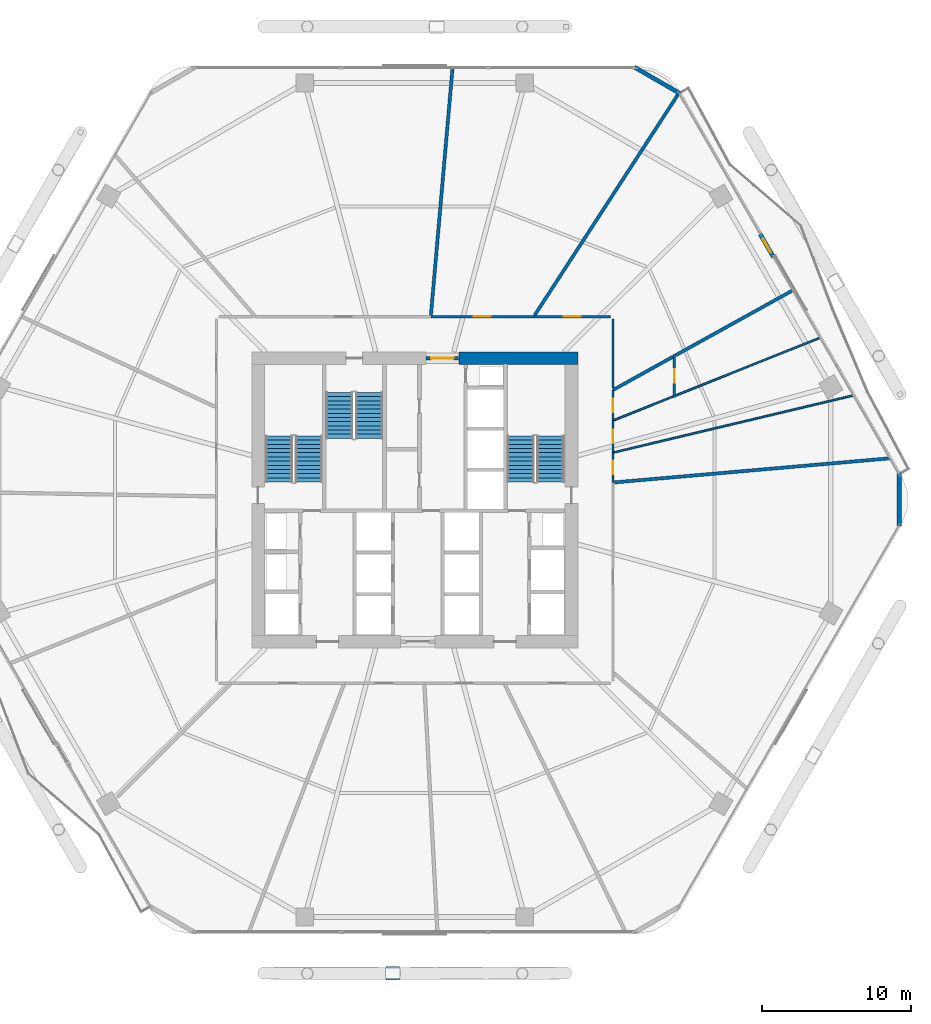
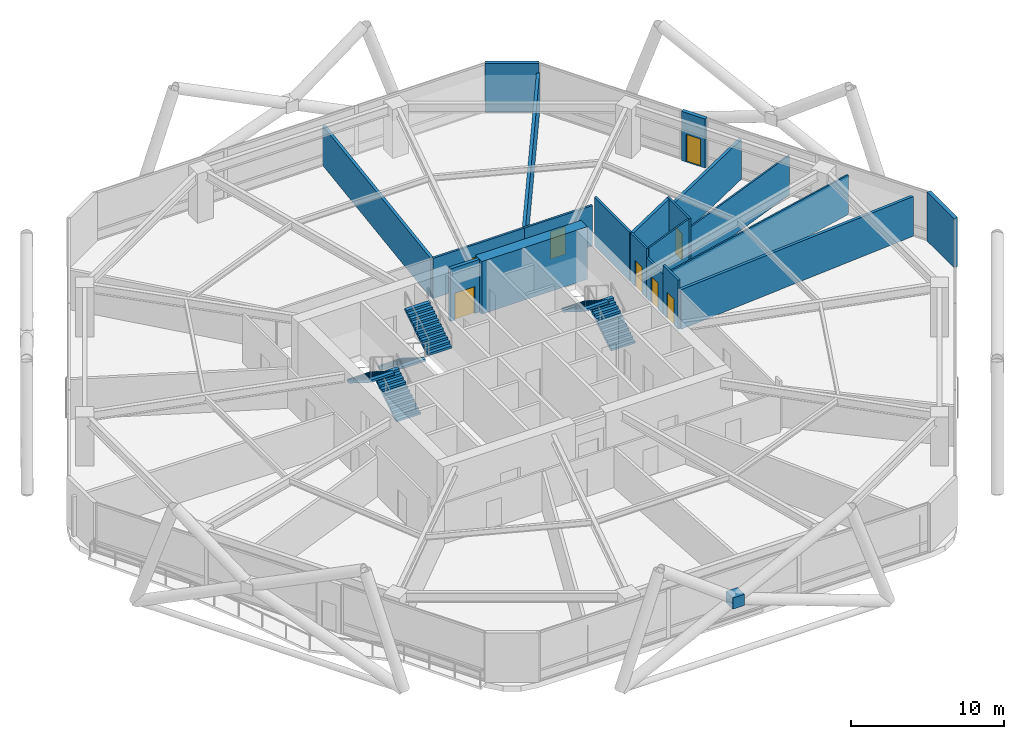
# One storey, part 27 of 31: 20 walls, 8 doors, 6 stair flights, 1 discrete accessory, 8 openings, 3 elements without a shape of their own.
"""IFC4 building model written with IfcOpenShell, lengths in metres."""

from ifc_helpers import new_model, si_unit, direction, frame, frame_2d, origin, origin_2d, place, context, subcontext, project, spatial, polyline, rectangle, outline, extrude, material, layer, layer_set, type_object, element, fill, aggregate, save


model = new_model("IFC4")

# Units and contexts
model_context = context("Model", 3, precision=1e-05, world=origin(), true_north=direction((0.0, 1.0)))
body_context = subcontext(model_context, "Body", "Model", "MODEL_VIEW")
ifc_project = project(units=[si_unit("LENGTHUNIT", "METRE"), si_unit("AREAUNIT", "SQUARE_METRE"), si_unit("VOLUMEUNIT", "CUBIC_METRE"), si_unit("PLANEANGLEUNIT", "RADIAN"), si_unit("MASSUNIT", "GRAM", prefix="KILO")], contexts=[model_context])

# Site, building, storey
site_placement = place(None, origin())
site = spatial("IfcSite", under=ifc_project, at=site_placement, CompositionType="ELEMENT")
building_placement = place(site_placement, origin())
building = spatial("IfcBuilding", under=site, at=building_placement, Name="Zuhravey Tower", CompositionType="ELEMENT")
storey_placement = place(building_placement, frame((0.0, 0.0, 7.800048828125)))
storey = spatial("IfcBuildingStorey", under=building, at=storey_placement, Name="L02", CompositionType="ELEMENT", Elevation=7.800048828125)

# Wall
ifc_material_1 = material(Name="Concrete C60/75", Category="concrete")
ifc_layer_1 = layer(ifc_material_1, 0.85009765625)
ifc_layer_set_1 = layer_set([ifc_layer_1], Name="Concrete C60/75")
wall_type_1 = type_object("IfcWallType", Name="Core Shear Wall 850", PredefinedType="SHEAR", material=ifc_layer_set_1)
wall_1_placement = place(storey_placement, frame((46.925048828125, 41.5, 0.0), z_axis=(0.0, 0.0, 1.0), x_axis=(-1.0, 0.0, 0.0)))
element("IfcWall", 1, at=wall_1_placement, inside=storey, type_object=wall_type_1, Name="L02 North-East Core Shear Wall CW85", PredefinedType="SHEAR", context=body_context, shape_type="SweptSolid", body=[
    extrude(rectangle(XDim=7.97509765625, YDim=0.85009765625, at=frame_2d((3.987548828125, 0.0))), origin(), (0.0, 0.0, 1.0), 4.199951171875),
])

# Wall, opening, door
ifc_material_2 = material(Name="Gypsum fire-rated stud partition")
ifc_layer_2 = layer(ifc_material_2, 0.159912109375)
ifc_layer_set_2 = layer_set([ifc_layer_2], Name="Gypsum fire-rated stud partition")
wall_type_2 = type_object("IfcWallType", Name="Corridor Fire Partition 160", PredefinedType="PARTITIONING", material=ifc_layer_set_2)
wall_2_placement = place(storey_placement, frame((49.284912109375, 33.162353515625, 0.0), z_axis=(0.0, 0.0, 1.0), x_axis=(0.0, 1.0, 0.0)))
wall_2 = element("IfcWall", 2, at=wall_2_placement, inside=storey, type_object=wall_type_2, Name="L02 IW16 Partition 019", PredefinedType="PARTITIONING", context=body_context, shape_type="SweptSolid", body=[
    extrude(rectangle(XDim=2.00244140625, YDim=0.159912109375, at=frame_2d((1.001220703125, 0.0))), origin(), (0.0, 0.0, 1.0), 3.919921875),
])
opening_1_placement = place(wall_2_placement, frame((0.55126953125, 0.0, 0.0)))
opening_1 = element("IfcOpeningElement", 3, at=opening_1_placement, cuts=wall_2, Name="Opening RSD1", PredefinedType="OPENING", context=body_context, shape_type="SweptSolid", body=[
    extrude(rectangle(XDim=0.89990234375, YDim=2.10009765625, at=frame_2d((0.449951171875, 1.050048828125))), frame((0.0, 0.092041015625, 0.0), z_axis=(0.0, -1.0, 0.0), x_axis=(1.0, 0.0, 0.0)), (0.0, 0.0, 1.0), 0.183837890625),
])
ifc_material_3 = material(Name="Galvanised fire-rated steel access leaf", Category="steel")
door_type_1 = type_object("IfcDoorType", Name="Riser & Shaft Access Fire Door 900x2100", OperationType="NOTDEFINED", PredefinedType="DOOR", material=ifc_material_3)
door_1_placement = place(opening_1_placement, frame((0.89990234375, 0.0, 0.0), z_axis=(0.0, 0.0, 1.0), x_axis=(-1.0, 0.0, 0.0)))
door_1 = element("IfcDoor", 4, at=door_1_placement, inside=storey, type_object=door_type_1, Name="L02 Door 019.1", OperationType="SINGLE_SWING_RIGHT", OverallHeight=2.10009765625, OverallWidth=0.89990234375, PredefinedType="DOOR", context=body_context, shape_type="SweptSolid", body=[
    extrude(rectangle(XDim=0.89990234375, YDim=2.10009765625, at=frame_2d((0.449951171875, 1.050048828125))), frame((0.0, 0.02490234375, 0.0), z_axis=(0.0, -1.0, 0.0), x_axis=(1.0, 0.0, 0.0)), (0.0, 0.0, 1.0), 0.050048828125),
])
fill(opening_1, door_1)

wall_3_placement = place(storey_placement, frame((49.284912109375, 35.164794921875, 0.0), z_axis=(0.0, 0.0, 1.0), x_axis=(0.0, 1.0, 0.0)))
wall_3 = element("IfcWall", 5, at=wall_3_placement, inside=storey, type_object=wall_type_2, Name="L02 IW16 Partition 020", PredefinedType="PARTITIONING", context=body_context, shape_type="SweptSolid", body=[
    extrude(rectangle(XDim=2.14892578125, YDim=0.159912109375, at=frame_2d((1.074462890625, 0.0))), origin(), (0.0, 0.0, 1.0), 3.219970703125),
])
opening_2_placement = place(wall_3_placement, frame((0.624267578125, 0.0, 0.0)))
opening_2 = element("IfcOpeningElement", 6, at=opening_2_placement, cuts=wall_3, Name="Opening RSD1", PredefinedType="OPENING", context=body_context, shape_type="SweptSolid", body=[
    extrude(rectangle(XDim=0.89990234375, YDim=2.10009765625, at=frame_2d((0.449951171875, 1.050048828125))), frame((0.0, 0.092041015625, 0.0), z_axis=(0.0, -1.0, 0.0), x_axis=(1.0, 0.0, 0.0)), (0.0, 0.0, 1.0), 0.183837890625),
])
door_2_placement = place(opening_2_placement, frame((0.89990234375, 0.0, 0.0), z_axis=(0.0, 0.0, 1.0), x_axis=(-1.0, 0.0, 0.0)))
door_2 = element("IfcDoor", 7, at=door_2_placement, inside=storey, type_object=door_type_1, Name="L02 Door 020.1", OperationType="SINGLE_SWING_LEFT", OverallHeight=2.10009765625, OverallWidth=0.89990234375, PredefinedType="DOOR", context=body_context, shape_type="SweptSolid", body=[
    extrude(rectangle(XDim=0.89990234375, YDim=2.10009765625, at=frame_2d((0.449951171875, 1.050048828125))), frame((0.0, 0.02490234375, 0.0), z_axis=(0.0, -1.0, 0.0), x_axis=(1.0, 0.0, 0.0)), (0.0, 0.0, 1.0), 0.050048828125),
])
fill(opening_2, door_2)

wall_4_placement = place(storey_placement, frame((53.405029296875, 41.7392578125, 0.0), z_axis=(0.0, 0.0, 1.0), x_axis=(0.0, -1.0, 0.0)))
wall_4 = element("IfcWall", 8, at=wall_4_placement, inside=storey, type_object=wall_type_2, Name="L02 IW16 Partition 021", PredefinedType="PARTITIONING", context=body_context, shape_type="SweptSolid", body=[
    extrude(rectangle(XDim=2.864013671875, YDim=0.159912109375, at=frame_2d((1.43212890625, 0.0))), origin(), (0.0, 0.0, 1.0), 3.919921875),
])
opening_3_placement = place(wall_4_placement, frame((0.98193359375, 0.0, 0.0)))
opening_3 = element("IfcOpeningElement", 9, at=opening_3_placement, cuts=wall_4, Name="Opening RSD1", PredefinedType="OPENING", context=body_context, shape_type="SweptSolid", body=[
    extrude(rectangle(XDim=0.89990234375, YDim=2.10009765625, at=frame_2d((0.449951171875, 1.050048828125))), frame((0.0, 0.092041015625, 0.0), z_axis=(0.0, -1.0, 0.0), x_axis=(1.0, 0.0, 0.0)), (0.0, 0.0, 1.0), 0.183837890625),
])
door_3_placement = place(opening_3_placement, origin())
door_3 = element("IfcDoor", 10, at=door_3_placement, inside=storey, type_object=door_type_1, Name="L02 Door 021.1", OperationType="SINGLE_SWING_RIGHT", OverallHeight=2.10009765625, OverallWidth=0.89990234375, PredefinedType="DOOR", context=body_context, shape_type="SweptSolid", body=[
    extrude(rectangle(XDim=0.89990234375, YDim=2.10009765625, at=frame_2d((0.449951171875, 1.050048828125))), frame((0.0, 0.02490234375, 0.0), z_axis=(0.0, -1.0, 0.0), x_axis=(1.0, 0.0, 0.0)), (0.0, 0.0, 1.0), 0.050048828125),
])
fill(opening_3, door_3)

wall_5_placement = place(storey_placement, frame((49.284912109375, 37.313720703125, 0.0), z_axis=(0.0, 0.0, 1.0), x_axis=(0.0, 1.0, 0.0)))
wall_5 = element("IfcWall", 11, at=wall_5_placement, inside=storey, type_object=wall_type_2, Name="L02 IW16 Partition 022", PredefinedType="PARTITIONING", context=body_context, shape_type="SweptSolid", body=[
    extrude(rectangle(XDim=2.05029296875, YDim=0.159912109375, at=frame_2d((1.025146484375, 0.0))), origin(), (0.0, 0.0, 1.0), 3.919921875),
])
opening_4_placement = place(wall_5_placement, frame((0.5751953125, 0.0, 0.0)))
opening_4 = element("IfcOpeningElement", 12, at=opening_4_placement, cuts=wall_5, Name="Opening RSD1", PredefinedType="OPENING", context=body_context, shape_type="SweptSolid", body=[
    extrude(rectangle(XDim=0.89990234375, YDim=2.10009765625, at=frame_2d((0.449951171875, 1.050048828125))), frame((0.0, 0.092041015625, 0.0), z_axis=(0.0, -1.0, 0.0), x_axis=(1.0, 0.0, 0.0)), (0.0, 0.0, 1.0), 0.183837890625),
])
door_4_placement = place(opening_4_placement, frame((0.89990234375, 0.0, 0.0), z_axis=(0.0, 0.0, 1.0), x_axis=(-1.0, 0.0, 0.0)))
door_4 = element("IfcDoor", 13, at=door_4_placement, inside=storey, type_object=door_type_1, Name="L02 Door 022.1", OperationType="SINGLE_SWING_LEFT", OverallHeight=2.10009765625, OverallWidth=0.89990234375, PredefinedType="DOOR", context=body_context, shape_type="SweptSolid", body=[
    extrude(rectangle(XDim=0.89990234375, YDim=2.10009765625, at=frame_2d((0.449951171875, 1.050048828125))), frame((0.0, 0.02490234375, 0.0), z_axis=(0.0, -1.0, 0.0), x_axis=(1.0, 0.0, 0.0)), (0.0, 0.0, 1.0), 0.050048828125),
])
fill(opening_4, door_4)

wall_6_placement = place(storey_placement, frame((49.125, 44.284912109375, 0.0), z_axis=(0.0, 0.0, 1.0), x_axis=(-1.0, 0.0, 0.0)))
wall_6 = element("IfcWall", 14, at=wall_6_placement, inside=storey, type_object=wall_type_2, Name="L02 IW16 Partition 023", PredefinedType="PARTITIONING", context=body_context, shape_type="SweptSolid", body=[
    extrude(rectangle(XDim=5.14697265625, YDim=0.159912109375, at=frame_2d((2.573486328125, 0.0))), origin(), (0.0, 0.0, 1.0), 3.219970703125),
])
opening_5_placement = place(wall_6_placement, frame((1.99853515625, 0.0, 0.0)))
opening_5 = element("IfcOpeningElement", 15, at=opening_5_placement, cuts=wall_6, Name="Opening CLD1", PredefinedType="OPENING", context=body_context, shape_type="SweptSolid", body=[
    extrude(rectangle(XDim=1.14990234375, YDim=2.199951171875, at=frame_2d((0.574951171875, 1.10009765625))), frame((0.0, 0.092041015625, 0.0), z_axis=(0.0, -1.0, 0.0), x_axis=(1.0, 0.0, 0.0)), (0.0, 0.0, 1.0), 0.183837890625),
])
ifc_material_4 = material(Name="Acoustic timber leaf with vision lite", Category="wood")
door_type_2 = type_object("IfcDoorType", Name="Classroom Acoustic Door 1150x2200", OperationType="NOTDEFINED", PredefinedType="DOOR", material=ifc_material_4)
door_5_placement = place(opening_5_placement, frame((1.14990234375, 0.0, 0.0), z_axis=(0.0, 0.0, 1.0), x_axis=(-1.0, 0.0, 0.0)))
door_5 = element("IfcDoor", 16, at=door_5_placement, inside=storey, type_object=door_type_2, Name="L02 Door 023.1", OperationType="SINGLE_SWING_RIGHT", OverallHeight=2.199951171875, OverallWidth=1.14990234375, PredefinedType="DOOR", context=body_context, shape_type="SweptSolid", body=[
    extrude(rectangle(XDim=1.14990234375, YDim=2.199951171875, at=frame_2d((0.574951171875, 1.10009765625))), frame((0.0, 0.02490234375, 0.0), z_axis=(0.0, -1.0, 0.0), x_axis=(1.0, 0.0, 0.0)), (0.0, 0.0, 1.0), 0.050048828125),
])
fill(opening_5, door_5)

wall_7_placement = place(storey_placement, frame((43.97802734375, 44.284912109375, 0.0), z_axis=(0.0, 0.0, 1.0), x_axis=(-1.0, 0.0, 0.0)))
wall_7 = element("IfcWall", 17, at=wall_7_placement, inside=storey, type_object=wall_type_2, Name="L02 IW16 Partition 024", PredefinedType="PARTITIONING", context=body_context, shape_type="SweptSolid", body=[
    extrude(rectangle(XDim=6.9033203125, YDim=0.159912109375, at=frame_2d((3.45166015625, 0.0))), origin(), (0.0, 0.0, 1.0), 3.219970703125),
])
opening_6_placement = place(wall_7_placement, frame((2.876708984375, 0.0, 0.0)))
opening_6 = element("IfcOpeningElement", 18, at=opening_6_placement, cuts=wall_7, Name="Opening CLD1", PredefinedType="OPENING", context=body_context, shape_type="SweptSolid", body=[
    extrude(rectangle(XDim=1.14990234375, YDim=2.199951171875, at=frame_2d((0.574951171875, 1.10009765625))), frame((0.0, 0.092041015625, 0.0), z_axis=(0.0, -1.0, 0.0), x_axis=(1.0, 0.0, 0.0)), (0.0, 0.0, 1.0), 0.183837890625),
])
door_6_placement = place(opening_6_placement, frame((1.14990234375, 0.0, 0.0), z_axis=(0.0, 0.0, 1.0), x_axis=(-1.0, 0.0, 0.0)))
door_6 = element("IfcDoor", 19, at=door_6_placement, inside=storey, type_object=door_type_2, Name="L02 Door 024.1", OperationType="SINGLE_SWING_LEFT", OverallHeight=2.199951171875, OverallWidth=1.14990234375, PredefinedType="DOOR", context=body_context, shape_type="SweptSolid", body=[
    extrude(rectangle(XDim=1.14990234375, YDim=2.199951171875, at=frame_2d((0.574951171875, 1.10009765625))), frame((0.0, 0.02490234375, 0.0), z_axis=(0.0, -1.0, 0.0), x_axis=(1.0, 0.0, 0.0)), (0.0, 0.0, 1.0), 0.050048828125),
])
fill(opening_6, door_6)

# Walls
wall_8_placement = place(storey_placement, frame((49.284912109375, 39.498779296875, 0.0), z_axis=(0.0, 0.0, 1.0), x_axis=(0.0, 1.0, 0.0)))
element("IfcWall", 20, at=wall_8_placement, inside=storey, type_object=wall_type_2, Name="L02 IW16 Partition 050", PredefinedType="PARTITIONING", context=body_context, shape_type="SweptSolid", body=[
    extrude(rectangle(XDim=4.626220703125, YDim=0.159912109375, at=frame_2d((2.31298828125, 0.0))), origin(), (0.0, 0.0, 1.0), 3.919921875),
])
ifc_material_5 = material(Name="Precast concrete C40/50", Category="concrete")
ifc_layer_3 = layer(ifc_material_5, 0.280029296875)
ifc_layer_set_3 = layer_set([ifc_layer_3], Name="Precast concrete C40/50")
wall_type_3 = type_object("IfcWallType", Name="Crown Architectural Wall 280", PredefinedType="SOLIDWALL", material=ifc_layer_set_3)
wall_9_placement = place(storey_placement, frame((50.71728515625, 61.006103515625, 0.0), z_axis=(0.0, 0.0, 1.0), x_axis=(0.866007452331, -0.500031091541, 0.0)))
element("IfcWall", 21, at=wall_9_placement, inside=storey, type_object=wall_type_3, Name="L02 Rounded Corner Closure Wall EW28-10", PredefinedType="SOLIDWALL", context=body_context, shape_type="SweptSolid", body=[
    extrude(rectangle(XDim=3.514892578125, YDim=0.280029296875, at=frame_2d((1.75732421875, 0.0))), origin(), (0.0, 0.0, 1.0), 3.919921875),
])

# Wall, opening, door
wall_10_placement = place(storey_placement, frame((59.1484375, 49.82275390625, 0.0), z_axis=(0.0, 0.0, 1.0), x_axis=(0.499982180423, -0.866035691677, 0.0)))
wall_10 = element("IfcWall", 22, at=wall_10_placement, inside=storey, type_object=wall_type_3, Name="L02 Face 1 Facade Pier EW28-1", PredefinedType="SOLIDWALL", context=body_context, shape_type="SweptSolid", body=[
    extrude(rectangle(XDim=1.7900390625, YDim=0.280029296875, at=frame_2d((0.89501953125, 0.0))), origin(), (0.0, 0.0, 1.0), 3.919921875),
])
opening_7_placement = place(wall_10_placement, frame((0.344970703125, 0.0, 0.0)))
opening_7 = element("IfcOpeningElement", 23, at=opening_7_placement, cuts=wall_10, Name="Opening BLD1", PredefinedType="OPENING", context=body_context, shape_type="SweptSolid", body=[
    extrude(rectangle(XDim=1.10009765625, YDim=2.199951171875, at=frame_2d((0.550048828125, 1.10009765625))), frame((0.0, 0.152099609375, 0.0), z_axis=(0.0, -1.0, 0.0), x_axis=(1.0, 0.0, 0.0)), (0.0, 0.0, 1.0), 0.303955078125),
])
ifc_material_6 = material(Name="Thermally broken aluminium and low-E glass", Category="aluminium")
door_type_3 = type_object("IfcDoorType", Name="Balcony & Sky-Tray Glazed Door 1100x2200", OperationType="NOTDEFINED", PredefinedType="DOOR", material=ifc_material_6)
door_7_placement = place(opening_7_placement, frame((1.10009765625, 0.0, 0.0), z_axis=(0.0, 0.0, 1.0), x_axis=(-1.0, 0.0, 0.0)))
door_7 = element("IfcDoor", 24, at=door_7_placement, inside=storey, type_object=door_type_3, Name="L02 Face 1 School Wave Terrace Door", OperationType="SINGLE_SWING_LEFT", OverallHeight=2.199951171875, OverallWidth=1.10009765625, PredefinedType="DOOR", context=body_context, shape_type="SweptSolid", body=[
    extrude(rectangle(XDim=1.10009765625, YDim=2.199951171875, at=frame_2d((0.550048828125, 1.10009765625))), frame((0.0, 0.02490234375, 0.0), z_axis=(0.0, -1.0, 0.0), x_axis=(1.0, 0.0, 0.0)), (0.0, 0.0, 1.0), 0.050048828125),
])
fill(opening_7, door_7)

# Wall
wall_11_placement = place(storey_placement, frame((68.478515625, 33.757568359375, 0.0), z_axis=(0.0, 0.0, 1.0), x_axis=(0.0, -1.0, 0.0)))
element("IfcWall", 25, at=wall_11_placement, inside=storey, type_object=wall_type_3, Name="L02 Rounded Corner Closure Wall EW28-12", PredefinedType="SOLIDWALL", context=body_context, shape_type="SweptSolid", body=[
    extrude(rectangle(XDim=3.51513671875, YDim=0.280029296875, at=frame_2d((1.757568359375, 0.0))), origin(), (0.0, 0.0, 1.0), 3.919921875),
])

# Wall, opening, door
ifc_material_7 = material(Name="Concrete C50/60", Category="concrete")
ifc_layer_4 = layer(ifc_material_7, 0.25)
ifc_layer_set_4 = layer_set([ifc_layer_4], Name="Concrete C50/60")
wall_type_4 = type_object("IfcWallType", Name="Firefighting Shaft & Stair Wall 250", PredefinedType="SOLIDWALL", material=ifc_layer_set_4)
wall_12_placement = place(storey_placement, frame((36.760009765625, 41.5, 0.0), z_axis=(0.0, 0.0, 1.0), x_axis=(1.0, 0.0, 0.0)))
wall_12 = element("IfcWall", 26, at=wall_12_placement, inside=storey, type_object=wall_type_4, Name="L02 FW25 Shaft Wall 002", PredefinedType="SOLIDWALL", context=body_context, shape_type="SweptSolid", body=[
    extrude(rectangle(XDim=2.179931640625, YDim=0.25, at=frame_2d((1.08984375, 0.0))), origin(), (0.0, 0.0, 1.0), 4.199951171875),
])
opening_8_placement = place(wall_12_placement, frame((0.340087890625, 0.0, 0.0)))
opening_8 = element("IfcOpeningElement", 27, at=opening_8_placement, cuts=wall_12, Name="Opening FFD1", PredefinedType="OPENING", context=body_context, shape_type="SweptSolid", body=[
    extrude(rectangle(XDim=1.5, YDim=2.14990234375, at=frame_2d((0.75, 1.074951171875))), frame((0.0, 0.136962890625, 0.0), z_axis=(0.0, -1.0, 0.0), x_axis=(1.0, 0.0, 0.0)), (0.0, 0.0, 1.0), 0.27392578125),
])
ifc_material_8 = material(Name="Galvanised fire-rated steel leaf", Category="steel")
door_type_4 = type_object("IfcDoorType", Name="Firefighting Lobby Double Door 1500x2150", OperationType="DOUBLE_DOOR_SINGLE_SWING", PredefinedType="DOOR", material=ifc_material_8)
door_8_placement = place(opening_8_placement, origin())
door_8 = element("IfcDoor", 28, at=door_8_placement, inside=storey, type_object=door_type_4, Name="L02 North Lift Lobby Exit Door", OperationType="DOUBLE_DOOR_SINGLE_SWING", OverallHeight=2.14990234375, OverallWidth=1.5, PredefinedType="DOOR", context=body_context, shape_type="SweptSolid", body=[
    extrude(rectangle(XDim=1.5, YDim=2.14990234375, at=frame_2d((0.75, 1.074951171875))), frame((0.0, 0.02490234375, 0.0), z_axis=(0.0, -1.0, 0.0), x_axis=(1.0, 0.0, 0.0)), (0.0, 0.0, 1.0), 0.050048828125),
])
fill(opening_8, door_8)

# Walls
ifc_material_9 = material(Name="Gypsum acoustic stud assembly")
ifc_layer_5 = layer(ifc_material_9, 0.219970703125)
ifc_layer_set_5 = layer_set([ifc_layer_5], Name="Gypsum acoustic stud assembly")
wall_type_5 = type_object("IfcWallType", Name="School Acoustic Compartment Wall 220", PredefinedType="PARTITIONING", material=ifc_layer_set_5)
wall_13_placement = place(storey_placement, frame((49.373046875, 33.169921875, 0.0), z_axis=(0.0, 0.0, 1.0), x_axis=(0.99619391773, 0.087164661858, 0.0)))
element("IfcWall", 29, at=wall_13_placement, inside=storey, type_object=wall_type_5, Name="L02 IW22 Partition 043", PredefinedType="PARTITIONING", context=body_context, shape_type="SweptSolid", body=[
    extrude(rectangle(XDim=18.528076171875, YDim=0.219970703125, at=frame_2d((9.26416015625, 0.0))), origin(), (0.0, 0.0, 1.0), 3.169921875),
])
wall_14_placement = place(storey_placement, frame((49.284912109375, 39.364013671875, 0.0), z_axis=(0.0, 0.0, 1.0), x_axis=(0.874606547494, 0.484833360115, 0.0)))
element("IfcWall", 30, at=wall_14_placement, inside=storey, type_object=wall_type_5, Name="L02 IW22 Partition 047", PredefinedType="PARTITIONING", context=body_context, shape_type="SweptSolid", body=[
    extrude(rectangle(XDim=4.610107421875, YDim=0.219970703125, at=frame_2d((2.30517578125, 0.0))), origin(), (0.0, 0.0, 1.0), 3.919921875),
])
wall_15_placement = place(storey_placement, frame((53.492919921875, 41.696533203125, 0.0), z_axis=(0.0, 0.0, 1.0), x_axis=(0.874622025543, 0.484805437711, 0.0)))
element("IfcWall", 31, at=wall_15_placement, inside=storey, type_object=wall_type_5, Name="L02 IW22 Partition 048", PredefinedType="PARTITIONING", context=body_context, shape_type="SweptSolid", body=[
    extrude(rectangle(XDim=8.96240234375, YDim=0.219970703125, at=frame_2d((4.481201171875, 0.0))), origin(), (0.0, 0.0, 1.0), 3.169921875),
])
wall_16_placement = place(storey_placement, frame((44.03515625, 44.373046875, 0.0), z_axis=(0.0, 0.0, 1.0), x_axis=(0.544634848015, 0.838673287, 0.0)))
element("IfcWall", 32, at=wall_16_placement, inside=storey, type_object=wall_type_5, Name="L02 IW22 Partition 049", PredefinedType="PARTITIONING", context=body_context, shape_type="SweptSolid", body=[
    extrude(rectangle(XDim=17.747802734375, YDim=0.219970703125, at=frame_2d((8.8740234375, 0.0))), origin(), (0.0, 0.0, 1.0), 3.169921875),
])
wall_17_placement = place(storey_placement, frame((37.08251953125, 44.373046875, 0.0), z_axis=(0.0, 0.0, 1.0), x_axis=(0.087149123156, 0.996195277209, 0.0)))
element("IfcWall", 33, at=wall_17_placement, inside=storey, type_object=wall_type_5, Name="L02 IW22 Partition 051", PredefinedType="PARTITIONING", context=body_context, shape_type="SweptSolid", body=[
    extrude(rectangle(XDim=16.648681640625, YDim=0.219970703125, at=frame_2d((8.32421875, 0.0))), origin(), (0.0, 0.0, 1.0), 3.169921875),
])
ifc_material_10 = material(Name="Gypsum metal-stud partition")
ifc_layer_6 = layer(ifc_material_10, 0.1201171875)
ifc_layer_set_6 = layer_set([ifc_layer_6], Name="Gypsum metal-stud partition")
wall_type_6 = type_object("IfcWallType", Name="Unit Internal Partition 120", PredefinedType="PARTITIONING", material=ifc_layer_set_6)
wall_18_placement = place(storey_placement, frame((49.373046875, 35.185791015625, 0.0), z_axis=(0.0, 0.0, 1.0), x_axis=(0.972774396977, 0.231754120968, 0.0)))
element("IfcWall", 34, at=wall_18_placement, inside=storey, type_object=wall_type_6, Name="L02 IW12 Partition 044", PredefinedType="PARTITIONING", context=body_context, shape_type="SweptSolid", body=[
    extrude(rectangle(XDim=16.470703125, YDim=0.1201171875, at=frame_2d((8.2353515625, 0.0))), origin(), (0.0, 0.0, 1.0), 3.169921875),
])
wall_19_placement = place(storey_placement, frame((49.373046875, 37.348876953125, 0.0), z_axis=(0.0, 0.0, 1.0), x_axis=(0.928488582268, 0.371360946517, 0.0)))
element("IfcWall", 35, at=wall_19_placement, inside=storey, type_object=wall_type_6, Name="L02 IW12 Partition 045", PredefinedType="PARTITIONING", context=body_context, shape_type="SweptSolid", body=[
    extrude(rectangle(XDim=4.24755859375, YDim=0.1201171875, at=frame_2d((2.123779296875, 0.0))), origin(), (0.0, 0.0, 1.0), 3.919921875),
])
wall_20_placement = place(storey_placement, frame((53.492919921875, 38.99658203125, 0.0), z_axis=(0.0, 0.0, 1.0), x_axis=(0.928486388213, 0.371366432117, 0.0)))
element("IfcWall", 36, at=wall_20_placement, inside=storey, type_object=wall_type_6, Name="L02 IW12 Partition 046", PredefinedType="PARTITIONING", context=body_context, shape_type="SweptSolid", body=[
    extrude(rectangle(XDim=10.417236328125, YDim=0.1201171875, at=frame_2d((5.20849609375, 0.0))), origin(), (0.0, 0.0, 1.0), 3.169921875),
])

# Stair, stair flights
ifc_material_11 = material(Name="Concrete C40/50", Category="concrete")
stair_type = type_object("IfcStairType", Name="School Storey Stair Assembly 4200", PredefinedType="HALF_TURN_STAIR", material=ifc_material_11)
stair_1_placement = place(storey_placement, origin())
stair_1 = element("IfcStair", 37, at=stair_1_placement, inside=storey, type_object=stair_type, Name="L02 Core Exit Stair ST1", PredefinedType="HALF_TURN_STAIR")
stair_flight_type = type_object("IfcStairFlightType", Name="School Storey Stair Flight 4200", PredefinedType="STRAIGHT", material=ifc_material_11)
stair_flight_1_placement = place(storey_placement, frame((28.89990234375, 33.199951171875, 0.0), z_axis=(0.0, 0.0, 1.0), x_axis=(0.0, 1.0, 0.0)))
stair_flight_1 = element("IfcStairFlight", 38, at=stair_flight_1_placement, type_object=stair_flight_type, Name="ST1 flight 1", NumberOfRisers=12, NumberOfTreads=11, PredefinedType="STRAIGHT", RiserHeight=0.175, TreadLength=0.28, context=body_context, shape_type="SweptSolid", body=[
    extrude(outline(polyline([(0.0, 0.0), (0.0, 0.175048828125), (0.280029296875, 0.175048828125), (0.280029296875, 0.35009765625), (0.56005859375, 0.35009765625), (0.56005859375, 0.52490234375), (0.840087890625, 0.52490234375), (0.840087890625, 0.699951171875), (1.1201171875, 0.699951171875), (1.1201171875, 0.875), (1.39990234375, 0.875), (1.39990234375, 1.050048828125), (1.679931640625, 1.050048828125), (1.679931640625, 1.22509765625), (1.9599609375, 1.22509765625), (1.9599609375, 1.39990234375), (2.239990234375, 1.39990234375), (2.239990234375, 1.574951171875), (2.52001953125, 1.574951171875), (2.52001953125, 1.75), (2.800048828125, 1.75), (2.800048828125, 1.925048828125), (3.080078125, 1.925048828125), (3.080078125, 2.10009765625), (3.080078125, 1.748291015625), (0.28271484375, 0.0), (0.0, 0.0)])), frame((0.0, 0.89990234375, 0.0), z_axis=(0.0, -1.0, 0.0), x_axis=(1.0, 0.0, 0.0)), (0.0, 0.0, 1.0), 1.800048828125),
])
stair_flight_2_placement = place(storey_placement, frame((26.89990234375, 36.280029296875, 2.099853515625), z_axis=(0.0, 0.0, 1.0), x_axis=(0.0, -1.0, 0.0)))
stair_flight_2 = element("IfcStairFlight", 39, at=stair_flight_2_placement, type_object=stair_flight_type, Name="ST1 flight 2", NumberOfRisers=12, NumberOfTreads=11, PredefinedType="STRAIGHT", RiserHeight=0.175, TreadLength=0.28, context=body_context, shape_type="SweptSolid", body=[
    extrude(outline(polyline([(0.0, 0.0), (0.0, 0.175048828125), (0.280029296875, 0.175048828125), (0.280029296875, 0.35009765625), (0.56005859375, 0.35009765625), (0.56005859375, 0.52490234375), (0.840087890625, 0.52490234375), (0.840087890625, 0.699951171875), (1.1201171875, 0.699951171875), (1.1201171875, 0.875), (1.39990234375, 0.875), (1.39990234375, 1.050048828125), (1.679931640625, 1.050048828125), (1.679931640625, 1.22509765625), (1.9599609375, 1.22509765625), (1.9599609375, 1.39990234375), (2.239990234375, 1.39990234375), (2.239990234375, 1.574951171875), (2.52001953125, 1.574951171875), (2.52001953125, 1.75), (2.800048828125, 1.75), (2.800048828125, 1.925048828125), (3.080078125, 1.925048828125), (3.080078125, 2.10009765625), (3.080078125, 1.748291015625), (0.28271484375, 0.0), (0.0, 0.0)])), frame((0.0, 0.89990234375, 0.0), z_axis=(0.0, -1.0, 0.0), x_axis=(1.0, 0.0, 0.0)), (0.0, 0.0, 1.0), 1.800048828125),
])
aggregate(stair_1, [stair_flight_1, stair_flight_2])

stair_2_placement = place(storey_placement, origin())
stair_2 = element("IfcStair", 40, at=stair_2_placement, inside=storey, type_object=stair_type, Name="L02 Core Exit Stair ST2", PredefinedType="HALF_TURN_STAIR")
stair_flight_3_placement = place(storey_placement, frame((45.10009765625, 33.199951171875, 0.0), z_axis=(0.0, 0.0, 1.0), x_axis=(0.0, 1.0, 0.0)))
stair_flight_3 = element("IfcStairFlight", 41, at=stair_flight_3_placement, type_object=stair_flight_type, Name="ST2 flight 1", NumberOfRisers=12, NumberOfTreads=11, PredefinedType="STRAIGHT", RiserHeight=0.175, TreadLength=0.28, context=body_context, shape_type="SweptSolid", body=[
    extrude(outline(polyline([(0.0, 0.0), (0.0, 0.175048828125), (0.280029296875, 0.175048828125), (0.280029296875, 0.35009765625), (0.56005859375, 0.35009765625), (0.56005859375, 0.52490234375), (0.840087890625, 0.52490234375), (0.840087890625, 0.699951171875), (1.1201171875, 0.699951171875), (1.1201171875, 0.875), (1.39990234375, 0.875), (1.39990234375, 1.050048828125), (1.679931640625, 1.050048828125), (1.679931640625, 1.22509765625), (1.9599609375, 1.22509765625), (1.9599609375, 1.39990234375), (2.239990234375, 1.39990234375), (2.239990234375, 1.574951171875), (2.52001953125, 1.574951171875), (2.52001953125, 1.75), (2.800048828125, 1.75), (2.800048828125, 1.925048828125), (3.080078125, 1.925048828125), (3.080078125, 2.10009765625), (3.080078125, 1.748291015625), (0.28271484375, 0.0), (0.0, 0.0)])), frame((0.0, 0.89990234375, 0.0), z_axis=(0.0, -1.0, 0.0), x_axis=(1.0, 0.0, 0.0)), (0.0, 0.0, 1.0), 1.800048828125),
])
stair_flight_4_placement = place(storey_placement, frame((43.10009765625, 36.280029296875, 2.099853515625), z_axis=(0.0, 0.0, 1.0), x_axis=(0.0, -1.0, 0.0)))
stair_flight_4 = element("IfcStairFlight", 42, at=stair_flight_4_placement, type_object=stair_flight_type, Name="ST2 flight 2", NumberOfRisers=12, NumberOfTreads=11, PredefinedType="STRAIGHT", RiserHeight=0.175, TreadLength=0.28, context=body_context, shape_type="SweptSolid", body=[
    extrude(outline(polyline([(0.0, 0.0), (0.0, 0.175048828125), (0.280029296875, 0.175048828125), (0.280029296875, 0.35009765625), (0.56005859375, 0.35009765625), (0.56005859375, 0.52490234375), (0.840087890625, 0.52490234375), (0.840087890625, 0.699951171875), (1.1201171875, 0.699951171875), (1.1201171875, 0.875), (1.39990234375, 0.875), (1.39990234375, 1.050048828125), (1.679931640625, 1.050048828125), (1.679931640625, 1.22509765625), (1.9599609375, 1.22509765625), (1.9599609375, 1.39990234375), (2.239990234375, 1.39990234375), (2.239990234375, 1.574951171875), (2.52001953125, 1.574951171875), (2.52001953125, 1.75), (2.800048828125, 1.75), (2.800048828125, 1.925048828125), (3.080078125, 1.925048828125), (3.080078125, 2.10009765625), (3.080078125, 1.748291015625), (0.28271484375, 0.0), (0.0, 0.0)])), frame((0.0, 0.89990234375, 0.0), z_axis=(0.0, -1.0, 0.0), x_axis=(1.0, 0.0, 0.0)), (0.0, 0.0, 1.0), 1.800048828125),
])
aggregate(stair_2, [stair_flight_3, stair_flight_4])

stair_3_placement = place(storey_placement, origin())
stair_3 = element("IfcStair", 43, at=stair_3_placement, inside=storey, type_object=stair_type, Name="L02 Core Exit Stair ST3", PredefinedType="HALF_TURN_STAIR")
stair_flight_5_placement = place(storey_placement, frame((30.949951171875, 39.199951171875, 0.0), z_axis=(0.0, 0.0, 1.0), x_axis=(0.0, -1.0, 0.0)))
stair_flight_5 = element("IfcStairFlight", 44, at=stair_flight_5_placement, type_object=stair_flight_type, Name="ST3 flight 1", NumberOfRisers=12, NumberOfTreads=11, PredefinedType="STRAIGHT", RiserHeight=0.175, TreadLength=0.28, context=body_context, shape_type="SweptSolid", body=[
    extrude(outline(polyline([(0.0, 0.0), (0.0, 0.175048828125), (0.280029296875, 0.175048828125), (0.280029296875, 0.35009765625), (0.56005859375, 0.35009765625), (0.56005859375, 0.52490234375), (0.840087890625, 0.52490234375), (0.840087890625, 0.699951171875), (1.1201171875, 0.699951171875), (1.1201171875, 0.875), (1.39990234375, 0.875), (1.39990234375, 1.050048828125), (1.679931640625, 1.050048828125), (1.679931640625, 1.22509765625), (1.9599609375, 1.22509765625), (1.9599609375, 1.39990234375), (2.239990234375, 1.39990234375), (2.239990234375, 1.574951171875), (2.52001953125, 1.574951171875), (2.52001953125, 1.75), (2.800048828125, 1.75), (2.800048828125, 1.925048828125), (3.080078125, 1.925048828125), (3.080078125, 2.10009765625), (3.080078125, 1.748291015625), (0.28271484375, 0.0), (0.0, 0.0)])), frame((0.0, 0.89990234375, 0.0), z_axis=(0.0, -1.0, 0.0), x_axis=(1.0, 0.0, 0.0)), (0.0, 0.0, 1.0), 1.800048828125),
])
stair_flight_6_placement = place(storey_placement, frame((32.949951171875, 36.1201171875, 2.099853515625), z_axis=(0.0, 0.0, 1.0), x_axis=(0.0, 1.0, 0.0)))
stair_flight_6 = element("IfcStairFlight", 45, at=stair_flight_6_placement, type_object=stair_flight_type, Name="ST3 flight 2", NumberOfRisers=12, NumberOfTreads=11, PredefinedType="STRAIGHT", RiserHeight=0.175, TreadLength=0.28, context=body_context, shape_type="SweptSolid", body=[
    extrude(outline(polyline([(0.0, 0.0), (0.0, 0.175048828125), (0.280029296875, 0.175048828125), (0.280029296875, 0.35009765625), (0.56005859375, 0.35009765625), (0.56005859375, 0.52490234375), (0.840087890625, 0.52490234375), (0.840087890625, 0.699951171875), (1.1201171875, 0.699951171875), (1.1201171875, 0.875), (1.39990234375, 0.875), (1.39990234375, 1.050048828125), (1.679931640625, 1.050048828125), (1.679931640625, 1.22509765625), (1.9599609375, 1.22509765625), (1.9599609375, 1.39990234375), (2.239990234375, 1.39990234375), (2.239990234375, 1.574951171875), (2.52001953125, 1.574951171875), (2.52001953125, 1.75), (2.800048828125, 1.75), (2.800048828125, 1.925048828125), (3.080078125, 1.925048828125), (3.080078125, 2.10009765625), (3.080078125, 1.748291015625), (0.28271484375, 0.0), (0.0, 0.0)])), frame((0.0, 0.89990234375, 0.0), z_axis=(0.0, -1.0, 0.0), x_axis=(1.0, 0.0, 0.0)), (0.0, 0.0, 1.0), 1.800048828125),
])
aggregate(stair_3, [stair_flight_5, stair_flight_6])

# Discrete accessory
ifc_material_12 = material(Name="Steel SM355", Category="steel")
discrete_accessory_type = type_object("IfcDiscreteAccessoryType", Name="Exoskeleton Support Bracket", PredefinedType="BRACKET", material=ifc_material_12)
discrete_accessory_placement = place(storey_placement, frame((34.528564453125, 0.2666015625, 3.17431640625), z_axis=(0.0, 0.0, 1.0), x_axis=(1.0, 0.0, 0.0)))
element("IfcDiscreteAccessory", 46, at=discrete_accessory_placement, inside=storey, type_object=discrete_accessory_type, Name="L02 Face 5 Diagrid X-Crossing Collar BRK1", PredefinedType="BRACKET", context=body_context, shape_type="SweptSolid", body=[
    extrude(rectangle(XDim=0.89306640625, YDim=0.89306640625, at=origin_2d()), origin(), (0.0, 0.0, 1.0), 0.89306640625),
])

save(model, "model.ifc")
